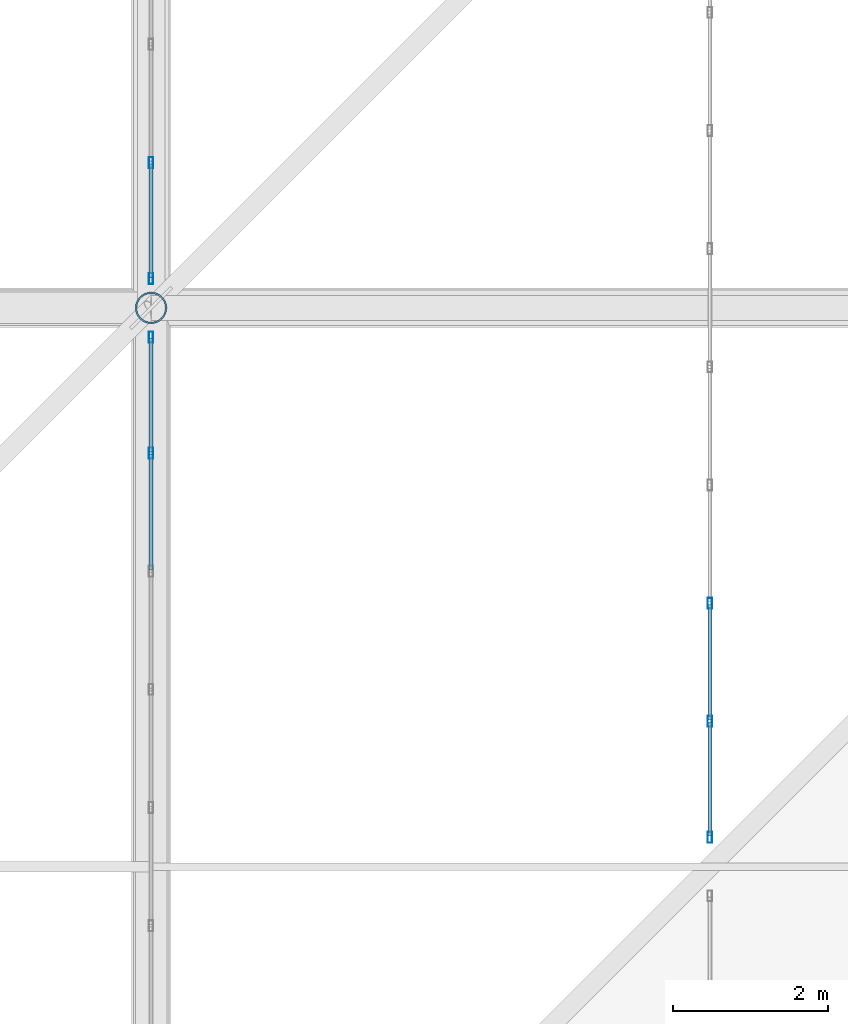
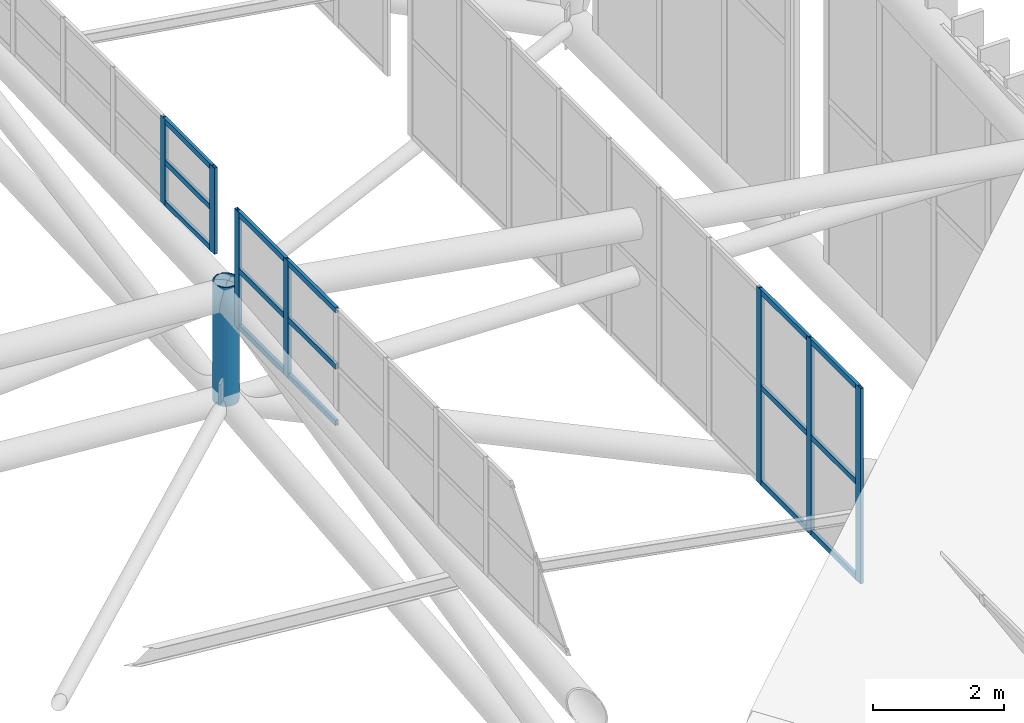
# One storey, part 145 of 397: 23 members, 3 elements without a shape of their own.
"""IFC4 building model written with IfcOpenShell, lengths in metres."""

import ifcopenshell
import ifcopenshell.guid

model = None  # the IFC model being written
_history = None  # IfcOwnerHistory: only IFC2X3 demands one
_inside = {}  # id of a spatial element -> (the spatial element, [elements in it])
_under = {}  # id of a project, library or spatial element -> (it, [spatial elements below it])
_declared = {}  # id of a project -> (the project, [libraries it declares])
_typed = {}  # id of a type object -> (the type object, [elements of that type])
_made_of = {}  # id of a material, layer set ... -> (it, [elements and type objects made of it])


def new_model(schema):
    """Start an empty IFC model of exactly this schema.

    Asked for "IFC4X3", IfcOpenShell would pick the latest addendum, in which some entities
    have other attributes; the version numbers below select the first issue.
    IFC2X3 requires an IfcOwnerHistory on every rooted entity: one is made here for all.
    """
    global model, _history
    if schema == "IFC4X3":
        model = ifcopenshell.file(schema_version=(4, 3, 0, 0))
    else:
        model = ifcopenshell.file(schema=schema)
    _inside.clear()
    _under.clear()
    _declared.clear()
    _typed.clear()
    _made_of.clear()
    _history = None
    if model.schema == "IFC2X3":
        org = make("IfcOrganization", Name="unknown")
        user = make(
            "IfcPersonAndOrganization",
            ThePerson=make("IfcPerson", FamilyName="unknown"),
            TheOrganization=org,
        )
        app = make(
            "IfcApplication",
            ApplicationDeveloper=org,
            Version="unknown",
            ApplicationFullName="unknown",
            ApplicationIdentifier="unknown",
        )
        _history = make(
            "IfcOwnerHistory",
            OwningUser=user,
            OwningApplication=app,
            ChangeAction="ADDED",
            CreationDate=0,
        )
    return model


def make(cls, **values):
    """One entity of the class cls with the attributes given. An attribute that is None is left unset."""
    return model.create_entity(
        cls, **{name: value for name, value in values.items() if value is not None}
    )


def rooted(cls, **values):
    """An entity with a GlobalId (a new one), such as an element, a storey or a relation."""
    return make(cls, GlobalId=ifcopenshell.guid.new(), OwnerHistory=_history, **values)


def si_unit(unit_type, name, prefix=None):
    """IfcSIUnit, for example si_unit("LENGTHUNIT", "METRE", prefix="MILLI")."""
    return make("IfcSIUnit", UnitType=unit_type, Prefix=prefix, Name=name)


def assignment(units):
    """IfcUnitAssignment: the units of a project."""
    return None if units is None else make("IfcUnitAssignment", Units=units)


def point(xyz):
    """IfcCartesianPoint."""
    return None if xyz is None else make("IfcCartesianPoint", Coordinates=xyz)


def direction(xyz):
    """IfcDirection."""
    return None if xyz is None else make("IfcDirection", DirectionRatios=xyz)


def frame(location, z_axis=None, x_axis=None):
    """IfcAxis2Placement3D, a coordinate frame: its origin and axes. An axis left out is left unset."""
    return make(
        "IfcAxis2Placement3D",
        Location=point(location),
        Axis=direction(z_axis),
        RefDirection=direction(x_axis),
    )


def frame_2d(location, x_axis=None):
    """IfcAxis2Placement2D, a coordinate frame in the plane: its origin and x axis."""
    return make(
        "IfcAxis2Placement2D", Location=point(location), RefDirection=direction(x_axis)
    )


def origin():
    """The frame at (0, 0, 0) with its axes left unset."""
    return frame((0.0, 0.0, 0.0))


def origin_2d():
    """The frame at (0, 0) in the plane with its x axis left unset."""
    return frame_2d((0.0, 0.0))


def place(relative_to, where):
    """IfcLocalPlacement: puts the frame where relative to a parent placement (None: the world)."""
    return make(
        "IfcLocalPlacement", PlacementRelTo=relative_to, RelativePlacement=where
    )


def context(
    kind, dimensions, precision=None, world=None, true_north=None, identifier=None
):
    """IfcGeometricRepresentationContext, for example the 3D "Model" context."""
    return make(
        "IfcGeometricRepresentationContext",
        ContextIdentifier=identifier,
        ContextType=kind,
        CoordinateSpaceDimension=dimensions,
        Precision=precision,
        WorldCoordinateSystem=world,
        TrueNorth=true_north,
    )


def subcontext(parent, identifier, kind, view, scale=None):
    """IfcGeometricRepresentationSubContext, for example "Body" below "Model"."""
    return make(
        "IfcGeometricRepresentationSubContext",
        ContextIdentifier=identifier,
        ContextType=kind,
        ParentContext=parent,
        TargetScale=scale,
        TargetView=view,
    )


def project(units=None, contexts=None):
    """IfcProject with its units and contexts."""
    return rooted(
        "IfcProject",
        Name="project",
        RepresentationContexts=contexts,
        UnitsInContext=assignment(units),
    )


def spatial(cls, under=None, at=None, **own):
    """A site, building, storey or space (cls), placed at a placement, below another one or the project."""
    s = rooted(cls, ObjectPlacement=at, **own)
    if under is not None:
        _under.setdefault(under.id(), (under, []))[1].append(s)
    return s


def profile(cls, at=None, kind="AREA", **sizes):
    """A parametric profile (cls). Its sizes go by their IFC names, for example OverallWidth=200.0."""
    return make(cls, ProfileType=kind, Position=at, **sizes)


def hollow_rectangle(**sizes):
    """IfcRectangleHollowProfileDef."""
    return profile("IfcRectangleHollowProfileDef", **sizes)


def hollow_circle(**sizes):
    """IfcCircleHollowProfileDef."""
    return profile("IfcCircleHollowProfileDef", **sizes)


def extrude(swept, where, along, depth):
    """IfcExtrudedAreaSolid: the profile swept, set in the frame where, extruded along a direction by depth."""
    return make(
        "IfcExtrudedAreaSolid",
        SweptArea=swept,
        Position=where,
        ExtrudedDirection=direction(along),
        Depth=depth,
    )


def shape(context_of_items, identifier, shape_type, items):
    """IfcShapeRepresentation: the items that make up one representation, for example the "Body"."""
    return make(
        "IfcShapeRepresentation",
        ContextOfItems=context_of_items,
        RepresentationIdentifier=identifier,
        RepresentationType=shape_type,
        Items=items,
    )


def material(Name=None, Category=None):
    """IfcMaterial."""
    return make("IfcMaterial", Name=Name, Category=Category)


def material_profile(
    of_material, cross_section, Name=None, Category=None, Priority=None
):
    """IfcMaterialProfile: a cross section and its material."""
    return make(
        "IfcMaterialProfile",
        Name=Name,
        Material=of_material,
        Profile=cross_section,
        Priority=Priority,
        Category=Category,
    )


def profile_set(profiles, Name=None, composite=None):
    """IfcMaterialProfileSet."""
    return make(
        "IfcMaterialProfileSet",
        Name=Name,
        MaterialProfiles=profiles,
        CompositeProfile=composite,
    )


def made_of(thing, what):
    """Note that an element or type object is made of a material, layer set ...; save() writes the relation."""
    if what is not None:
        _made_of.setdefault(what.id(), (what, []))[1].append(thing)
    return thing


def type_object(cls, material=None, **own):
    """A type object (cls), such as IfcWallType, which elements share."""
    return made_of(rooted(cls, **own), material)


def element(
    cls,
    number,
    at=None,
    inside=None,
    cuts=None,
    type_object=None,
    material=None,
    context=None,
    identifier="Body",
    shape_type=None,
    held_by="IfcProductDefinitionShape",
    body=None,
    shapes=None,
    **own,
):
    """One element of the class cls, such as IfcWall. Its Tag is "e" and its number.

    at: its placement. inside: the storey or other place that contains it. cuts: it is an
    opening in that element (IfcRelVoidsElement). A single representation is given by context,
    identifier, shape_type and body (its items); several are given by shapes. held_by: the class
    of the entity that holds the representations. save() writes the other relations.
    """
    e = rooted(cls, Tag="e%d" % number, ObjectPlacement=at, **own)
    if body is not None:
        shapes = [shape(context, identifier, shape_type, body)]
    if shapes is not None:
        e.Representation = make(held_by, Representations=shapes)
    if inside is not None:
        _inside.setdefault(inside.id(), (inside, []))[1].append(e)
    if cuts is not None:
        rooted(
            "IfcRelVoidsElement", RelatingBuildingElement=cuts, RelatedOpeningElement=e
        )
    if type_object is not None:
        _typed.setdefault(type_object.id(), (type_object, []))[1].append(e)
    return made_of(e, material)


def aggregate(whole, parts):
    """IfcRelAggregates: a whole, such as a stair, and the parts it consists of."""
    return rooted("IfcRelAggregates", RelatingObject=whole, RelatedObjects=parts)


def save(model, path):
    """Write the relations noted so far, then the file.

    IfcRelAggregates (storeys below a building ...), IfcRelContainedInSpatialStructure (elements
    in a storey), IfcRelDefinesByType, IfcRelAssociatesMaterial and IfcRelDeclares: one each for
    every whole, place, type object, material and project.
    """
    for whole, parts in _under.values():
        aggregate(whole, parts)
    for where, things in _inside.values():
        rooted(
            "IfcRelContainedInSpatialStructure",
            RelatedElements=things,
            RelatingStructure=where,
        )
    for kind, things in _typed.values():
        rooted("IfcRelDefinesByType", RelatedObjects=things, RelatingType=kind)
    for what, things in _made_of.values():
        rooted("IfcRelAssociatesMaterial", RelatedObjects=things, RelatingMaterial=what)
    for by, libraries in _declared.values():
        rooted("IfcRelDeclares", RelatingContext=by, RelatedDefinitions=libraries)
    model.write(path)


model = new_model("IFC4")

# Units and contexts
model_context = context("Model", 3, precision=1e-05, world=origin(), true_north=direction((0.0, 1.0)))
body_context = subcontext(model_context, "Body", "Model", "MODEL_VIEW")
ifc_project = project(units=[si_unit("LENGTHUNIT", "METRE"), si_unit("AREAUNIT", "SQUARE_METRE"), si_unit("VOLUMEUNIT", "CUBIC_METRE"), si_unit("PLANEANGLEUNIT", "RADIAN"), si_unit("MASSUNIT", "GRAM", prefix="KILO")], contexts=[model_context])

# Site, building, storey
site_placement = place(None, origin())
site = spatial("IfcSite", under=ifc_project, at=site_placement, CompositionType="ELEMENT")
building_placement = place(site_placement, origin())
building = spatial("IfcBuilding", under=site, at=building_placement, Name="Qandorah Velis Arena", CompositionType="ELEMENT")
storey_placement = place(building_placement, frame((0.0, 0.0, 27.5)))
storey = spatial("IfcBuildingStorey", under=building, at=storey_placement, Name="RF", CompositionType="ELEMENT", Elevation=27.5)

# Curtain wall, members
ifc_material_1 = material(Name="Solar-control low-E double glazing", Category="glass")
curtain_wall_type_1 = type_object("IfcCurtainWallType", Name="ARC-CW-SYS14", PredefinedType="USERDEFINED", material=ifc_material_1)
curtain_wall_1_placement = place(storey_placement, origin())
curtain_wall_1 = element("IfcCurtainWall", 1, at=curtain_wall_1_placement, inside=storey, type_object=curtain_wall_type_1, Name="Unitised curtain wall MON-2-2", ObjectType="UNITISED CURTAIN WALL", PredefinedType="USERDEFINED")
ifc_material_2 = material(Name="Champagne-bronze anodized aluminium 6063-T6", Category="aluminium")
ifc_material_profile_1 = material_profile(ifc_material_2, hollow_rectangle(XDim=0.054931640625, YDim=0.139892578125, WallThickness=0.0029296875, at=origin_2d()), Name="ALU MULLION 55x140")
ifc_profile_set_1 = profile_set([ifc_material_profile_1], Name="Champagne-bronze anodized aluminium 6063-T6")
member_type_1 = type_object("IfcMemberType", Name="ARC-CWM-140", PredefinedType="MULLION", material=ifc_profile_set_1)
member_1_placement = place(storey_placement, frame((108.0, 36.37744140625, 5.13427734375), z_axis=(0.0, 0.0, 1.0), x_axis=(-1.0, 0.0, 0.0)))
member_1 = element("IfcMember", 2, at=member_1_placement, type_object=member_type_1, Name="CW14 mullion 1", PredefinedType="MULLION", context=body_context, shape_type="SweptSolid", body=[
    extrude(hollow_rectangle(XDim=0.054931640625, YDim=0.139892578125, WallThickness=0.0029296875, at=origin_2d()), origin(), (0.0, 0.0, 1.0), 3.630126953125),
])
member_2_placement = place(storey_placement, frame((108.0, 37.872314453125, 5.13427734375), z_axis=(0.0, 0.0, 1.0), x_axis=(-1.0, 0.0, 0.0)))
member_2 = element("IfcMember", 3, at=member_2_placement, type_object=member_type_1, Name="CW14 mullion 2", PredefinedType="MULLION", context=body_context, shape_type="SweptSolid", body=[
    extrude(hollow_rectangle(XDim=0.054931640625, YDim=0.139892578125, WallThickness=0.0029296875, at=origin_2d()), origin(), (0.0, 0.0, 1.0), 3.630126953125),
])
member_3_placement = place(storey_placement, frame((108.0, 39.39453125, 5.13427734375), z_axis=(0.0, 0.0, 1.0), x_axis=(-1.0, 0.0, 0.0)))
member_3 = element("IfcMember", 4, at=member_3_placement, type_object=member_type_1, Name="CW14 mullion 3", PredefinedType="MULLION", context=body_context, shape_type="SweptSolid", body=[
    extrude(hollow_rectangle(XDim=0.054931640625, YDim=0.139892578125, WallThickness=0.0029296875, at=origin_2d()), origin(), (0.0, 0.0, 1.0), 3.630126953125),
])

curtain_wall_type_2 = type_object("IfcCurtainWallType", Name="ARC-CW-SYS11", PredefinedType="USERDEFINED", material=ifc_material_1)
curtain_wall_2_placement = place(storey_placement, origin())
curtain_wall_2 = element("IfcCurtainWall", 5, at=curtain_wall_2_placement, inside=storey, type_object=curtain_wall_type_2, Name="Unitised curtain wall OCULUS-2-1", ObjectType="UNITISED CURTAIN WALL", PredefinedType="USERDEFINED")
member_4_placement = place(storey_placement, frame((100.800048828125, 41.327880859375, 8.470947265625), z_axis=(0.0, 0.0, 1.0), x_axis=(-1.0, 0.0, 0.0)))
member_4 = element("IfcMember", 6, at=member_4_placement, type_object=member_type_1, Name="CW11 mullion 9", PredefinedType="MULLION", context=body_context, shape_type="SweptSolid", body=[
    extrude(hollow_rectangle(XDim=0.054931640625, YDim=0.139892578125, WallThickness=0.0029296875, at=origin_2d()), origin(), (0.0, 0.0, 1.0), 2.179931640625),
])
member_5_placement = place(storey_placement, frame((100.800048828125, 42.822509765625, 8.470947265625), z_axis=(0.0, 0.0, 1.0), x_axis=(-1.0, 0.0, 0.0)))
member_5 = element("IfcMember", 7, at=member_5_placement, type_object=member_type_1, Name="CW11 mullion 10", PredefinedType="MULLION", context=body_context, shape_type="SweptSolid", body=[
    extrude(hollow_rectangle(XDim=0.054931640625, YDim=0.139892578125, WallThickness=0.0029296875, at=origin_2d()), origin(), (0.0, 0.0, 1.0), 2.179931640625),
])

curtain_wall_type_3 = type_object("IfcCurtainWallType", Name="ARC-CW-SYS12", PredefinedType="USERDEFINED", material=ifc_material_1)
curtain_wall_3_placement = place(storey_placement, origin())
curtain_wall_3 = element("IfcCurtainWall", 8, at=curtain_wall_3_placement, inside=storey, type_object=curtain_wall_type_3, Name="Unitised curtain wall OCULUS-2-2", ObjectType="UNITISED CURTAIN WALL", PredefinedType="USERDEFINED")
member_6_placement = place(storey_placement, frame((100.800048828125, 43.577392578125, 9.41259765625), z_axis=(0.0, 0.0, 1.0), x_axis=(-1.0, 0.0, 0.0)))
member_6 = element("IfcMember", 9, at=member_6_placement, type_object=member_type_1, Name="CW12 mullion 1", PredefinedType="MULLION", context=body_context, shape_type="SweptSolid", body=[
    extrude(hollow_rectangle(XDim=0.054931640625, YDim=0.139892578125, WallThickness=0.0029296875, at=origin_2d()), origin(), (0.0, 0.0, 1.0), 1.602294921875),
])
member_7_placement = place(storey_placement, frame((100.800048828125, 45.072265625, 9.41259765625), z_axis=(0.0, 0.0, 1.0), x_axis=(-1.0, 0.0, 0.0)))
member_7 = element("IfcMember", 10, at=member_7_placement, type_object=member_type_1, Name="CW12 mullion 2", PredefinedType="MULLION", context=body_context, shape_type="SweptSolid", body=[
    extrude(hollow_rectangle(XDim=0.054931640625, YDim=0.139892578125, WallThickness=0.0029296875, at=origin_2d()), origin(), (0.0, 0.0, 1.0), 1.602294921875),
])

# Member
ifc_material_profile_2 = material_profile(ifc_material_2, hollow_rectangle(XDim=0.054931640625, YDim=0.10009765625, WallThickness=0.0029296875, at=origin_2d()), Name="ALU TRANSOM 55x100")
ifc_profile_set_2 = profile_set([ifc_material_profile_2], Name="Champagne-bronze anodized aluminium 6063-T6")
member_type_2 = type_object("IfcMemberType", Name="ARC-CWT-100", PredefinedType="USERDEFINED", material=ifc_profile_set_2)
member_8_placement = place(storey_placement, frame((108.0, 36.39306640625, 5.1767578125), z_axis=(0.0, 1.0, 0.0), x_axis=(-1.0, 0.0, 0.0)))
member_8 = element("IfcMember", 11, at=member_8_placement, type_object=member_type_2, Name="CW14 transom 1.1", ObjectType="TRANSOM", PredefinedType="USERDEFINED", context=body_context, shape_type="SweptSolid", body=[
    extrude(hollow_rectangle(XDim=0.054931640625, YDim=0.10009765625, WallThickness=0.0029296875, at=origin_2d()), origin(), (0.0, 0.0, 1.0), 1.463623046875),
])

member_9_placement = place(storey_placement, frame((108.0, 36.39306640625, 6.94921875), z_axis=(0.0, 1.0, 0.0), x_axis=(-1.0, 0.0, 0.0)))
member_9 = element("IfcMember", 12, at=member_9_placement, type_object=member_type_2, Name="CW14 transom 1.2", ObjectType="TRANSOM", PredefinedType="USERDEFINED", context=body_context, shape_type="SweptSolid", body=[
    extrude(hollow_rectangle(XDim=0.054931640625, YDim=0.10009765625, WallThickness=0.0029296875, at=origin_2d()), origin(), (0.0, 0.0, 1.0), 1.463623046875),
])

member_10_placement = place(storey_placement, frame((108.0, 36.39306640625, 8.7216796875), z_axis=(0.0, 1.0, 0.0), x_axis=(-1.0, 0.0, 0.0)))
member_10 = element("IfcMember", 13, at=member_10_placement, type_object=member_type_2, Name="CW14 transom 1.3", ObjectType="TRANSOM", PredefinedType="USERDEFINED", context=body_context, shape_type="SweptSolid", body=[
    extrude(hollow_rectangle(XDim=0.054931640625, YDim=0.10009765625, WallThickness=0.0029296875, at=origin_2d()), origin(), (0.0, 0.0, 1.0), 1.463623046875),
])

member_11_placement = place(storey_placement, frame((108.0, 37.8876953125, 5.1767578125), z_axis=(0.0, 1.0, 0.0), x_axis=(-1.0, 0.0, 0.0)))
member_11 = element("IfcMember", 14, at=member_11_placement, type_object=member_type_2, Name="CW14 transom 2.1", ObjectType="TRANSOM", PredefinedType="USERDEFINED", context=body_context, shape_type="SweptSolid", body=[
    extrude(hollow_rectangle(XDim=0.054931640625, YDim=0.10009765625, WallThickness=0.0029296875, at=origin_2d()), origin(), (0.0, 0.0, 1.0), 1.4912109375),
])

member_12_placement = place(storey_placement, frame((108.0, 37.8876953125, 6.94921875), z_axis=(0.0, 1.0, 0.0), x_axis=(-1.0, 0.0, 0.0)))
member_12 = element("IfcMember", 15, at=member_12_placement, type_object=member_type_2, Name="CW14 transom 2.2", ObjectType="TRANSOM", PredefinedType="USERDEFINED", context=body_context, shape_type="SweptSolid", body=[
    extrude(hollow_rectangle(XDim=0.054931640625, YDim=0.10009765625, WallThickness=0.0029296875, at=origin_2d()), origin(), (0.0, 0.0, 1.0), 1.4912109375),
])

member_13_placement = place(storey_placement, frame((108.0, 37.8876953125, 8.7216796875), z_axis=(0.0, 1.0, 0.0), x_axis=(-1.0, 0.0, 0.0)))
member_13 = element("IfcMember", 16, at=member_13_placement, type_object=member_type_2, Name="CW14 transom 2.3", ObjectType="TRANSOM", PredefinedType="USERDEFINED", context=body_context, shape_type="SweptSolid", body=[
    extrude(hollow_rectangle(XDim=0.054931640625, YDim=0.10009765625, WallThickness=0.0029296875, at=origin_2d()), origin(), (0.0, 0.0, 1.0), 1.4912109375),
])

aggregate(curtain_wall_1, [member_1, member_2, member_3, member_8, member_9, member_10, member_11, member_12, member_13])

member_14_placement = place(storey_placement, frame((100.800048828125, 39.821044921875, 8.513427734375), z_axis=(0.0, 1.0, 0.0), x_axis=(-1.0, 0.0, 0.0)))
member_14 = element("IfcMember", 17, at=member_14_placement, type_object=member_type_2, Name="CW11 transom 8.1", ObjectType="TRANSOM", PredefinedType="USERDEFINED", context=body_context, shape_type="SweptSolid", body=[
    extrude(hollow_rectangle(XDim=0.054931640625, YDim=0.10009765625, WallThickness=0.0029296875, at=origin_2d()), origin(), (0.0, 0.0, 1.0), 1.4912109375),
])

member_15_placement = place(storey_placement, frame((100.800048828125, 39.821044921875, 9.56103515625), z_axis=(0.0, 1.0, 0.0), x_axis=(-1.0, 0.0, 0.0)))
member_15 = element("IfcMember", 18, at=member_15_placement, type_object=member_type_2, Name="CW11 transom 8.2", ObjectType="TRANSOM", PredefinedType="USERDEFINED", context=body_context, shape_type="SweptSolid", body=[
    extrude(hollow_rectangle(XDim=0.054931640625, YDim=0.10009765625, WallThickness=0.0029296875, at=origin_2d()), origin(), (0.0, 0.0, 1.0), 1.4912109375),
])

member_16_placement = place(storey_placement, frame((100.800048828125, 39.821044921875, 10.6083984375), z_axis=(0.0, 1.0, 0.0), x_axis=(-1.0, 0.0, 0.0)))
member_16 = element("IfcMember", 19, at=member_16_placement, type_object=member_type_2, Name="CW11 transom 8.3", ObjectType="TRANSOM", PredefinedType="USERDEFINED", context=body_context, shape_type="SweptSolid", body=[
    extrude(hollow_rectangle(XDim=0.054931640625, YDim=0.10009765625, WallThickness=0.0029296875, at=origin_2d()), origin(), (0.0, 0.0, 1.0), 1.4912109375),
])

member_17_placement = place(storey_placement, frame((100.800048828125, 41.34326171875, 8.513427734375), z_axis=(0.0, 1.0, 0.0), x_axis=(-1.0, 0.0, 0.0)))
member_17 = element("IfcMember", 20, at=member_17_placement, type_object=member_type_2, Name="CW11 transom 9.1", ObjectType="TRANSOM", PredefinedType="USERDEFINED", context=body_context, shape_type="SweptSolid", body=[
    extrude(hollow_rectangle(XDim=0.054931640625, YDim=0.10009765625, WallThickness=0.0029296875, at=origin_2d()), origin(), (0.0, 0.0, 1.0), 1.463623046875),
])

member_18_placement = place(storey_placement, frame((100.800048828125, 41.34326171875, 9.56103515625), z_axis=(0.0, 1.0, 0.0), x_axis=(-1.0, 0.0, 0.0)))
member_18 = element("IfcMember", 21, at=member_18_placement, type_object=member_type_2, Name="CW11 transom 9.2", ObjectType="TRANSOM", PredefinedType="USERDEFINED", context=body_context, shape_type="SweptSolid", body=[
    extrude(hollow_rectangle(XDim=0.054931640625, YDim=0.10009765625, WallThickness=0.0029296875, at=origin_2d()), origin(), (0.0, 0.0, 1.0), 1.463623046875),
])

member_19_placement = place(storey_placement, frame((100.800048828125, 41.34326171875, 10.6083984375), z_axis=(0.0, 1.0, 0.0), x_axis=(-1.0, 0.0, 0.0)))
member_19 = element("IfcMember", 22, at=member_19_placement, type_object=member_type_2, Name="CW11 transom 9.3", ObjectType="TRANSOM", PredefinedType="USERDEFINED", context=body_context, shape_type="SweptSolid", body=[
    extrude(hollow_rectangle(XDim=0.054931640625, YDim=0.10009765625, WallThickness=0.0029296875, at=origin_2d()), origin(), (0.0, 0.0, 1.0), 1.463623046875),
])

aggregate(curtain_wall_2, [member_4, member_5, member_14, member_15, member_16, member_17, member_18, member_19])

member_20_placement = place(storey_placement, frame((100.800048828125, 43.593017578125, 9.455078125), z_axis=(0.0, 1.0, 0.0), x_axis=(-1.0, 0.0, 0.0)))
member_20 = element("IfcMember", 23, at=member_20_placement, type_object=member_type_2, Name="CW12 transom 1.1", ObjectType="TRANSOM", PredefinedType="USERDEFINED", context=body_context, shape_type="SweptSolid", body=[
    extrude(hollow_rectangle(XDim=0.054931640625, YDim=0.10009765625, WallThickness=0.0029296875, at=origin_2d()), origin(), (0.0, 0.0, 1.0), 1.463623046875),
])

member_21_placement = place(storey_placement, frame((100.800048828125, 43.593017578125, 10.2138671875), z_axis=(0.0, 1.0, 0.0), x_axis=(-1.0, 0.0, 0.0)))
member_21 = element("IfcMember", 24, at=member_21_placement, type_object=member_type_2, Name="CW12 transom 1.2", ObjectType="TRANSOM", PredefinedType="USERDEFINED", context=body_context, shape_type="SweptSolid", body=[
    extrude(hollow_rectangle(XDim=0.054931640625, YDim=0.10009765625, WallThickness=0.0029296875, at=origin_2d()), origin(), (0.0, 0.0, 1.0), 1.463623046875),
])

member_22_placement = place(storey_placement, frame((100.800048828125, 43.593017578125, 10.972412109375), z_axis=(0.0, 1.0, 0.0), x_axis=(-1.0, 0.0, 0.0)))
member_22 = element("IfcMember", 25, at=member_22_placement, type_object=member_type_2, Name="CW12 transom 1.3", ObjectType="TRANSOM", PredefinedType="USERDEFINED", context=body_context, shape_type="SweptSolid", body=[
    extrude(hollow_rectangle(XDim=0.054931640625, YDim=0.10009765625, WallThickness=0.0029296875, at=origin_2d()), origin(), (0.0, 0.0, 1.0), 1.463623046875),
])

aggregate(curtain_wall_3, [member_6, member_7, member_20, member_21, member_22])

ifc_material_3 = material(Name="Steel S460", Category="steel")
ifc_material_profile_3 = material_profile(ifc_material_3, hollow_circle(Radius=0.203125, WallThickness=0.02001953125, at=origin_2d()), Name="CHS 406.4x20")
ifc_profile_set_3 = profile_set([ifc_material_profile_3], Name="Steel S460")
member_type_3 = type_object("IfcMemberType", Name="STR-SFD-CHS406X20", PredefinedType="STRUT", material=ifc_profile_set_3)
member_23_placement = place(storey_placement, frame((100.800048828125, 43.199951171875, 6.90771484375), z_axis=(0.0, 0.0, 1.0), x_axis=(1.0, 0.0, 0.0)))
element("IfcMember", 26, at=member_23_placement, inside=storey, type_object=member_type_3, Name="Space frame roof vertical post 6.2", PredefinedType="STRUT", context=body_context, shape_type="SweptSolid", body=[
    extrude(hollow_circle(Radius=0.203125, WallThickness=0.02001953125, at=origin_2d()), origin(), (0.0, 0.0, 1.0), 2.2099609375),
])

save(model, "model.ifc")
